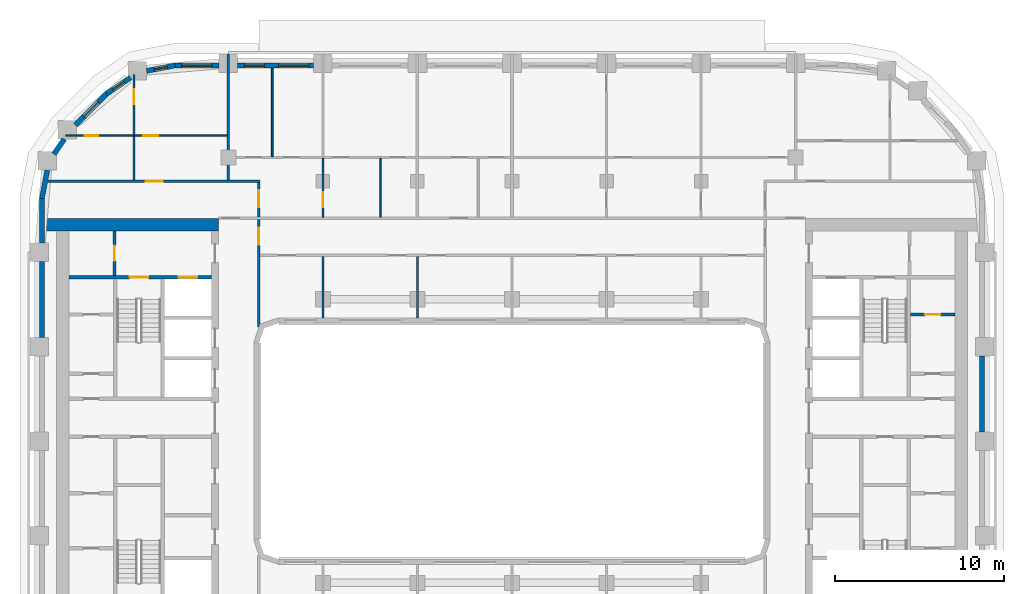
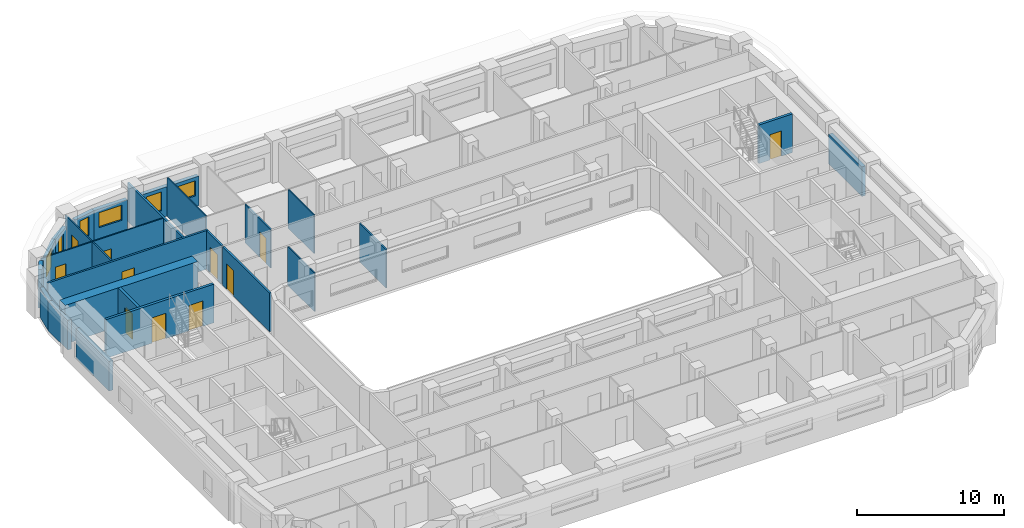
# One storey, part 7 of 22: 26 walls, 11 doors, 6 windows, 17 openings.
"""IFC4 building model written with IfcOpenShell, lengths in metres."""

from ifc_helpers import new_model, si_unit, direction, frame, frame_2d, origin, place, context, subcontext, project, spatial, rectangle, extrude, material, layer, layer_set, type_object, element, fill, save


model = new_model("IFC4")

# Units and contexts
model_context = context("Model", 3, precision=1e-05, world=origin(), true_north=direction((0.0, 1.0)))
body_context = subcontext(model_context, "Body", "Model", "MODEL_VIEW")
ifc_project = project(units=[si_unit("LENGTHUNIT", "METRE"), si_unit("AREAUNIT", "SQUARE_METRE"), si_unit("VOLUMEUNIT", "CUBIC_METRE"), si_unit("PLANEANGLEUNIT", "RADIAN"), si_unit("MASSUNIT", "GRAM", prefix="KILO")], contexts=[model_context])

# Site, building, storey
site_placement = place(None, origin())
site = spatial("IfcSite", under=ifc_project, at=site_placement, CompositionType="ELEMENT")
building_placement = place(site_placement, origin())
building = spatial("IfcBuilding", under=site, at=building_placement, Name="Kiln Ring Residences", CompositionType="ELEMENT")
storey_placement = place(building_placement, frame((0.0, 0.0, 146.60009765625)))
storey = spatial("IfcBuildingStorey", under=building, at=storey_placement, Name="L37", CompositionType="ELEMENT", Elevation=146.60009765625)

# Wall, opening, door
ifc_material_1 = material(Name="Gypsum board on steel studs", Category="steel")
ifc_layer_1 = layer(ifc_material_1, 0.199951171875)
ifc_layer_set_1 = layer_set([ifc_layer_1], Name="CORE-PARTITION-200")
wall_type_1 = type_object("IfcWallType", Name="CORE-PARTITION-200", PredefinedType="PARTITIONING", material=ifc_layer_set_1)
wall_1_placement = place(storey_placement, frame((-23.550048828125, 9.800048828125, 0.0), z_axis=(0.0, 0.0, 1.0), x_axis=(0.0, 1.0, 0.0)))
wall_1 = element("IfcWall", 1, at=wall_1_placement, inside=storey, type_object=wall_type_1, Name="Core partition west L37 4", PredefinedType="PARTITIONING", context=body_context, shape_type="SweptSolid", body=[
    extrude(rectangle(XDim=2.64990234375, YDim=0.199951171875, at=frame_2d((1.324951171875, 0.0))), origin(), (0.0, 0.0, 1.0), 3.199951171875),
])
opening_1_placement = place(wall_1_placement, frame((0.875, 0.0, 0.0)))
opening_1 = element("IfcOpeningElement", 2, at=opening_1_placement, cuts=wall_1, Name="Opening L37-CW09", PredefinedType="OPENING", context=body_context, shape_type="SweptSolid", body=[
    extrude(rectangle(XDim=0.89990234375, YDim=2.10009765625, at=frame_2d((0.449951171875, 1.050048828125))), frame((0.0, 0.10986328125, 0.0), z_axis=(0.0, -1.0, 0.0), x_axis=(1.0, 0.0, 0.0)), (0.0, 0.0, 1.0), 0.219970703125),
])
ifc_material_2 = material(Name="Steel door leaf", Category="steel")
door_type_1 = type_object("IfcDoorType", Name="CORE-DOOR-ROOM", OperationType="SINGLE_SWING_LEFT", PredefinedType="DOOR", material=ifc_material_2)
door_1_placement = place(opening_1_placement, origin())
door_1 = element("IfcDoor", 3, at=door_1_placement, inside=storey, type_object=door_type_1, Name="Fire riser room L37-CW09", OperationType="SINGLE_SWING_LEFT", OverallHeight=2.10009765625, OverallWidth=0.89990234375, PredefinedType="DOOR", context=body_context, shape_type="SweptSolid", body=[
    extrude(rectangle(XDim=0.89990234375, YDim=2.10009765625, at=frame_2d((0.449951171875, 1.050048828125))), frame((0.0, 0.02490234375, 0.0), z_axis=(0.0, -1.0, 0.0), x_axis=(1.0, 0.0, 0.0)), (0.0, 0.0, 1.0), 0.050048828125),
])
fill(opening_1, door_1)

wall_2_placement = place(storey_placement, frame((23.60009765625, 7.5, 0.0), z_axis=(0.0, 0.0, 1.0), x_axis=(1.0, 0.0, 0.0)))
wall_2 = element("IfcWall", 4, at=wall_2_placement, inside=storey, type_object=wall_type_1, Name="Core partition east L37 9", PredefinedType="PARTITIONING", context=body_context, shape_type="SweptSolid", body=[
    extrude(rectangle(XDim=2.64990234375, YDim=0.199951171875, at=frame_2d((1.324951171875, 0.0))), origin(), (0.0, 0.0, 1.0), 3.199951171875),
])
opening_2_placement = place(wall_2_placement, frame((0.875, 0.0, 0.0)))
opening_2 = element("IfcOpeningElement", 5, at=opening_2_placement, cuts=wall_2, Name="Opening L37-CE19", PredefinedType="OPENING", context=body_context, shape_type="SweptSolid", body=[
    extrude(rectangle(XDim=0.89990234375, YDim=2.10009765625, at=frame_2d((0.449951171875, 1.050048828125))), frame((0.0, 0.10986328125, 0.0), z_axis=(0.0, -1.0, 0.0), x_axis=(1.0, 0.0, 0.0)), (0.0, 0.0, 1.0), 0.219970703125),
])
door_2_placement = place(opening_2_placement, origin())
door_2 = element("IfcDoor", 6, at=door_2_placement, inside=storey, type_object=door_type_1, Name="UPS room L37-CE19", OperationType="SINGLE_SWING_LEFT", OverallHeight=2.10009765625, OverallWidth=0.89990234375, PredefinedType="DOOR", context=body_context, shape_type="SweptSolid", body=[
    extrude(rectangle(XDim=0.89990234375, YDim=2.10009765625, at=frame_2d((0.449951171875, 1.050048828125))), frame((0.0, 0.02490234375, 0.0), z_axis=(0.0, -1.0, 0.0), x_axis=(1.0, 0.0, 0.0)), (0.0, 0.0, 1.0), 0.050048828125),
])
fill(opening_2, door_2)

# Wall, openings, doors
ifc_material_3 = material(Name="Concrete C40/50", Category="concrete")
ifc_layer_2 = layer(ifc_material_3, 0.199951171875)
ifc_layer_set_2 = layer_set([ifc_layer_2], Name="CORE-WALL-RC200")
wall_type_2 = type_object("IfcWallType", Name="CORE-WALL-RC200", PredefinedType="SHEAR", material=ifc_layer_set_2)
wall_3_placement = place(storey_placement, frame((-17.800048828125, 9.699951171875, 0.0), z_axis=(0.0, 0.0, 1.0), x_axis=(-1.0, 0.0, 0.0)))
wall_3 = element("IfcWall", 7, at=wall_3_placement, inside=storey, type_object=wall_type_2, Name="Core wall west L37 9", PredefinedType="SHEAR", context=body_context, shape_type="SweptSolid", body=[
    extrude(rectangle(XDim=8.449951171875, YDim=0.199951171875, at=frame_2d((4.22509765625, 0.0))), origin(), (0.0, 0.0, 1.0), 3.199951171875),
])
opening_3_placement = place(wall_3_placement, frame((0.85009765625, 0.0, 0.0)))
opening_3 = element("IfcOpeningElement", 8, at=opening_3_placement, cuts=wall_3, Name="Opening L37-CW06", PredefinedType="OPENING", context=body_context, shape_type="SweptSolid", body=[
    extrude(rectangle(XDim=1.10009765625, YDim=2.10009765625, at=frame_2d((0.550048828125, 1.050048828125))), frame((0.0, 0.10986328125, 0.0), z_axis=(0.0, -1.0, 0.0), x_axis=(1.0, 0.0, 0.0)), (0.0, 0.0, 1.0), 0.219970703125),
])
opening_4_placement = place(wall_3_placement, frame((3.75, 0.0, 0.0)))
opening_4 = element("IfcOpeningElement", 9, at=opening_4_placement, cuts=wall_3, Name="Opening L37-CW11", PredefinedType="OPENING", context=body_context, shape_type="SweptSolid", body=[
    extrude(rectangle(XDim=1.10009765625, YDim=2.10009765625, at=frame_2d((0.550048828125, 1.050048828125))), frame((0.0, 0.10986328125, 0.0), z_axis=(0.0, -1.0, 0.0), x_axis=(1.0, 0.0, 0.0)), (0.0, 0.0, 1.0), 0.219970703125),
])
ifc_material_4 = material(Name="Steel door leaf", Category="steel")
door_type_2 = type_object("IfcDoorType", Name="CORE-DOOR-LD", OperationType="DOUBLE_DOOR_SLIDING", PredefinedType="DOOR", material=ifc_material_4)
door_3_placement = place(opening_3_placement, origin())
door_3 = element("IfcDoor", 10, at=door_3_placement, inside=storey, type_object=door_type_2, Name="LD W-FF L37-CW06", OperationType="DOUBLE_DOOR_SLIDING", OverallHeight=2.10009765625, OverallWidth=1.10009765625, PredefinedType="DOOR", context=body_context, shape_type="SweptSolid", body=[
    extrude(rectangle(XDim=1.10009765625, YDim=2.10009765625, at=frame_2d((0.550048828125, 1.050048828125))), frame((0.0, 0.02490234375, 0.0), z_axis=(0.0, -1.0, 0.0), x_axis=(1.0, 0.0, 0.0)), (0.0, 0.0, 1.0), 0.050048828125),
])
fill(opening_3, door_3)
ifc_material_5 = material(Name="Steel door leaf", Category="steel")
door_type_3 = type_object("IfcDoorType", Name="CORE-DOOR-STAIR", OperationType="SINGLE_SWING_LEFT", PredefinedType="DOOR", material=ifc_material_5)
door_4_placement = place(opening_4_placement, origin())
door_4 = element("IfcDoor", 11, at=door_4_placement, inside=storey, type_object=door_type_3, Name="Stair W-STN L37-CW11", OperationType="SINGLE_SWING_LEFT", OverallHeight=2.10009765625, OverallWidth=1.10009765625, PredefinedType="DOOR", context=body_context, shape_type="SweptSolid", body=[
    extrude(rectangle(XDim=1.10009765625, YDim=2.10009765625, at=frame_2d((0.550048828125, 1.050048828125))), frame((0.0, 0.02490234375, 0.0), z_axis=(0.0, -1.0, 0.0), x_axis=(1.0, 0.0, 0.0)), (0.0, 0.0, 1.0), 0.050048828125),
])
fill(opening_4, door_4)

# Walls
ifc_material_6 = material(Name="Concrete C60/75", Category="concrete")
ifc_layer_3 = layer(ifc_material_6, 0.75)
ifc_layer_set_3 = layer_set([ifc_layer_3], Name="CORE-WALL-RC750")
wall_type_3 = type_object("IfcWallType", Name="CORE-WALL-RC750", PredefinedType="SHEAR", material=ifc_layer_set_3)
wall_4_placement = place(storey_placement, frame((-17.39990234375, 12.824951171875, 0.0), z_axis=(0.0, 0.0, 1.0), x_axis=(-1.0, 0.0, 0.0)))
element("IfcWall", 12, at=wall_4_placement, inside=storey, type_object=wall_type_3, Name="Core wall west L37 4", PredefinedType="SHEAR", context=body_context, shape_type="SweptSolid", body=[
    extrude(rectangle(XDim=10.400146484375, YDim=0.75, at=frame_2d((5.2001953125, 0.0))), origin(), (0.0, 0.0, 1.0), 3.199951171875),
])
ifc_material_7 = material(Name="Brick masonry, dark clay brick", Category="masonry")
ifc_layer_4 = layer(ifc_material_7, 0.300048828125)
ifc_layer_set_4 = layer_set([ifc_layer_4], Name="EW-300 BRICK WALL")
wall_type_4 = type_object("IfcWallType", Name="EW-300 BRICK WALL", PredefinedType="SOLIDWALL", material=ifc_layer_set_4)
wall_5_placement = place(storey_placement, frame((27.85009765625, 0.550048828125, 0.0), z_axis=(0.0, 0.0, 1.0), x_axis=(0.0, 1.0, 0.0)))
element("IfcWall", 13, at=wall_5_placement, inside=storey, type_object=wall_type_4, Name="Facade wall L37 20", PredefinedType="SOLIDWALL", context=body_context, shape_type="SweptSolid", body=[
    extrude(rectangle(XDim=4.5, YDim=0.300048828125, at=frame_2d((2.25, 0.0))), origin(), (0.0, 0.0, 1.0), 2.449951171875),
])

# Wall, openings, windows
wall_6_placement = place(storey_placement, frame((-11.75, 22.25, 0.0), z_axis=(0.0, 0.0, 1.0), x_axis=(-1.0, 0.0, 0.0)))
wall_6 = element("IfcWall", 14, at=wall_6_placement, inside=storey, type_object=wall_type_4, Name="Facade wall L37 34", PredefinedType="SOLIDWALL", context=body_context, shape_type="SweptSolid", body=[
    extrude(rectangle(XDim=4.5, YDim=0.300048828125, at=frame_2d((2.25, 0.0))), origin(), (0.0, 0.0, 1.0), 2.449951171875),
])
opening_5_placement = place(wall_6_placement, frame((0.28759765625, 0.0, 0.89990234375)))
opening_5 = element("IfcOpeningElement", 15, at=opening_5_placement, cuts=wall_6, Name="Opening W2", PredefinedType="OPENING", context=body_context, shape_type="SweptSolid", body=[
    extrude(rectangle(XDim=1.800048828125, YDim=1.25, at=frame_2d((0.89990234375, 0.625))), frame((0.0, 0.159912109375, 0.0), z_axis=(0.0, -1.0, 0.0), x_axis=(1.0, 0.0, 0.0)), (0.0, 0.0, 1.0), 0.320068359375),
])
opening_6_placement = place(wall_6_placement, frame((2.91259765625, 0.0, 0.60009765625)))
opening_6 = element("IfcOpeningElement", 16, at=opening_6_placement, cuts=wall_6, Name="Opening W1", PredefinedType="OPENING", context=body_context, shape_type="SweptSolid", body=[
    extrude(rectangle(XDim=1.199951171875, YDim=1.550048828125, at=frame_2d((0.60009765625, 0.77490234375))), frame((0.0, 0.159912109375, 0.0), z_axis=(0.0, -1.0, 0.0), x_axis=(1.0, 0.0, 0.0)), (0.0, 0.0, 1.0), 0.320068359375),
])
ifc_material_8 = material(Name="Aluminium frame with double glazing", Category="aluminium")
window_type_1 = type_object("IfcWindowType", Name="WINDOW 1200 x 1550", PartitioningType="SINGLE_PANEL", PredefinedType="WINDOW", material=ifc_material_8)
window_1_placement = place(opening_6_placement, origin())
window_1 = element("IfcWindow", 17, at=window_1_placement, inside=storey, type_object=window_type_1, Name="Window L37 23", OverallHeight=1.550048828125, OverallWidth=1.199951171875, PartitioningType="SINGLE_PANEL", PredefinedType="WINDOW", context=body_context, shape_type="SweptSolid", body=[
    extrude(rectangle(XDim=1.199951171875, YDim=1.550048828125, at=frame_2d((0.60009765625, 0.77490234375))), frame((0.0, 0.030029296875, 0.0), z_axis=(0.0, -1.0, 0.0), x_axis=(1.0, 0.0, 0.0)), (0.0, 0.0, 1.0), 0.06005859375),
])
fill(opening_6, window_1)
ifc_material_9 = material(Name="Aluminium frame with double glazing", Category="aluminium")
window_type_2 = type_object("IfcWindowType", Name="WINDOW 1800 x 1250", PartitioningType="SINGLE_PANEL", PredefinedType="WINDOW", material=ifc_material_9)
window_2_placement = place(opening_5_placement, origin())
window_2 = element("IfcWindow", 18, at=window_2_placement, inside=storey, type_object=window_type_2, Name="Window L37 22", OverallHeight=1.25, OverallWidth=1.800048828125, PartitioningType="SINGLE_PANEL", PredefinedType="WINDOW", context=body_context, shape_type="SweptSolid", body=[
    extrude(rectangle(XDim=1.800048828125, YDim=1.25, at=frame_2d((0.89990234375, 0.625))), frame((0.0, 0.030029296875, 0.0), z_axis=(0.0, -1.0, 0.0), x_axis=(1.0, 0.0, 0.0)), (0.0, 0.0, 1.0), 0.06005859375),
])
fill(opening_5, window_2)

# Wall, opening, window
wall_7_placement = place(storey_placement, frame((-17.35009765625, 22.25, 0.0), z_axis=(0.0, 0.0, 1.0), x_axis=(-1.0, 0.0, 0.0)))
wall_7 = element("IfcWall", 19, at=wall_7_placement, inside=storey, type_object=wall_type_4, Name="Facade wall L37 35", PredefinedType="SOLIDWALL", context=body_context, shape_type="SweptSolid", body=[
    extrude(rectangle(XDim=2.64990234375, YDim=0.300048828125, at=frame_2d((1.324951171875, 0.0))), origin(), (0.0, 0.0, 1.0), 2.449951171875),
])
opening_7_placement = place(wall_7_placement, frame((0.425048828125, 0.0, 0.89990234375)))
opening_7 = element("IfcOpeningElement", 20, at=opening_7_placement, cuts=wall_7, Name="Opening W2", PredefinedType="OPENING", context=body_context, shape_type="SweptSolid", body=[
    extrude(rectangle(XDim=1.800048828125, YDim=1.25, at=frame_2d((0.89990234375, 0.625))), frame((0.0, 0.159912109375, 0.0), z_axis=(0.0, -1.0, 0.0), x_axis=(1.0, 0.0, 0.0)), (0.0, 0.0, 1.0), 0.320068359375),
])
window_3_placement = place(opening_7_placement, origin())
window_3 = element("IfcWindow", 21, at=window_3_placement, inside=storey, type_object=window_type_2, Name="Window L37 24", OverallHeight=1.25, OverallWidth=1.800048828125, PartitioningType="SINGLE_PANEL", PredefinedType="WINDOW", context=body_context, shape_type="SweptSolid", body=[
    extrude(rectangle(XDim=1.800048828125, YDim=1.25, at=frame_2d((0.89990234375, 0.625))), frame((0.0, 0.030029296875, 0.0), z_axis=(0.0, -1.0, 0.0), x_axis=(1.0, 0.0, 0.0)), (0.0, 0.0, 1.0), 0.06005859375),
])
fill(opening_7, window_3)

wall_8_placement = place(storey_placement, frame((-19.971923828125, 22.252685546875, 0.0), z_axis=(0.0, 0.0, 1.0), x_axis=(-0.982297206936, -0.187329114784, 0.0)))
wall_8 = element("IfcWall", 22, at=wall_8_placement, inside=storey, type_object=wall_type_4, Name="Facade wall L37 36", PredefinedType="SOLIDWALL", context=body_context, shape_type="SweptSolid", body=[
    extrude(rectangle(XDim=1.7060546875, YDim=0.300048828125, at=frame_2d((0.85302734375, 0.0))), origin(), (0.0, 0.0, 1.0), 2.449951171875),
])
opening_8_placement = place(wall_8_placement, frame((0.453125, 0.0, 0.60009765625)))
opening_8 = element("IfcOpeningElement", 23, at=opening_8_placement, cuts=wall_8, Name="Opening W5", PredefinedType="OPENING", context=body_context, shape_type="SweptSolid", body=[
    extrude(rectangle(XDim=0.800048828125, YDim=1.550048828125, at=frame_2d((0.39990234375, 0.77490234375))), frame((0.0, 0.159912109375, 0.0), z_axis=(0.0, -1.0, 0.0), x_axis=(1.0, 0.0, 0.0)), (0.0, 0.0, 1.0), 0.320068359375),
])
ifc_material_10 = material(Name="Aluminium frame with double glazing", Category="aluminium")
window_type_3 = type_object("IfcWindowType", Name="WINDOW 800 x 1550", PartitioningType="SINGLE_PANEL", PredefinedType="WINDOW", material=ifc_material_10)
window_4_placement = place(opening_8_placement, origin())
window_4 = element("IfcWindow", 24, at=window_4_placement, inside=storey, type_object=window_type_3, Name="Window L37 25", OverallHeight=1.550048828125, OverallWidth=0.800048828125, PartitioningType="SINGLE_PANEL", PredefinedType="WINDOW", context=body_context, shape_type="SweptSolid", body=[
    extrude(rectangle(XDim=0.800048828125, YDim=1.550048828125, at=frame_2d((0.39990234375, 0.77490234375))), frame((0.0, 0.030029296875, 0.0), z_axis=(0.0, -1.0, 0.0), x_axis=(1.0, 0.0, 0.0)), (0.0, 0.0, 1.0), 0.06005859375),
])
fill(opening_8, window_4)

wall_9_placement = place(storey_placement, frame((-22.601806640625, 21.537841796875, 0.0), z_axis=(0.0, 0.0, 1.0), x_axis=(-0.827040942766, -0.562141689424, 0.0)))
wall_9 = element("IfcWall", 25, at=wall_9_placement, inside=storey, type_object=wall_type_4, Name="Facade wall L37 37", PredefinedType="SOLIDWALL", context=body_context, shape_type="SweptSolid", body=[
    extrude(rectangle(XDim=1.7060546875, YDim=0.300048828125, at=frame_2d((0.85302734375, 0.0))), origin(), (0.0, 0.0, 1.0), 2.449951171875),
])
opening_9_placement = place(wall_9_placement, frame((0.453125, 0.0, 0.60009765625)))
opening_9 = element("IfcOpeningElement", 26, at=opening_9_placement, cuts=wall_9, Name="Opening W5", PredefinedType="OPENING", context=body_context, shape_type="SweptSolid", body=[
    extrude(rectangle(XDim=0.800048828125, YDim=1.550048828125, at=frame_2d((0.39990234375, 0.77490234375))), frame((0.0, 0.159912109375, 0.0), z_axis=(0.0, -1.0, 0.0), x_axis=(1.0, 0.0, 0.0)), (0.0, 0.0, 1.0), 0.320068359375),
])
window_5_placement = place(opening_9_placement, origin())
window_5 = element("IfcWindow", 27, at=window_5_placement, inside=storey, type_object=window_type_3, Name="Window L37 26", OverallHeight=1.550048828125, OverallWidth=0.800048828125, PartitioningType="SINGLE_PANEL", PredefinedType="WINDOW", context=body_context, shape_type="SweptSolid", body=[
    extrude(rectangle(XDim=0.800048828125, YDim=1.550048828125, at=frame_2d((0.39990234375, 0.77490234375))), frame((0.0, 0.030029296875, 0.0), z_axis=(0.0, -1.0, 0.0), x_axis=(1.0, 0.0, 0.0)), (0.0, 0.0, 1.0), 0.06005859375),
])
fill(opening_9, window_5)

wall_10_placement = place(storey_placement, frame((-23.990966796875, 20.596923828125, 0.0), z_axis=(0.0, 0.0, 1.0), x_axis=(-0.707106781187, -0.707106781187, 0.0)))
wall_10 = element("IfcWall", 28, at=wall_10_placement, inside=storey, type_object=wall_type_4, Name="Facade wall L37 38", PredefinedType="SOLIDWALL", context=body_context, shape_type="SweptSolid", body=[
    extrude(rectangle(XDim=2.64990234375, YDim=0.300048828125, at=frame_2d((1.324951171875, 0.0))), origin(), (0.0, 0.0, 1.0), 2.449951171875),
])
opening_10_placement = place(wall_10_placement, frame((0.72509765625, 0.0, 0.60009765625)))
opening_10 = element("IfcOpeningElement", 29, at=opening_10_placement, cuts=wall_10, Name="Opening W1", PredefinedType="OPENING", context=body_context, shape_type="SweptSolid", body=[
    extrude(rectangle(XDim=1.199951171875, YDim=1.550048828125, at=frame_2d((0.60009765625, 0.77490234375))), frame((0.0, 0.159912109375, 0.0), z_axis=(0.0, -1.0, 0.0), x_axis=(1.0, 0.0, 0.0)), (0.0, 0.0, 1.0), 0.320068359375),
])
window_6_placement = place(opening_10_placement, origin())
window_6 = element("IfcWindow", 30, at=window_6_placement, inside=storey, type_object=window_type_1, Name="Window L37 27", OverallHeight=1.550048828125, OverallWidth=1.199951171875, PartitioningType="SINGLE_PANEL", PredefinedType="WINDOW", context=body_context, shape_type="SweptSolid", body=[
    extrude(rectangle(XDim=1.199951171875, YDim=1.550048828125, at=frame_2d((0.60009765625, 0.77490234375))), frame((0.0, 0.030029296875, 0.0), z_axis=(0.0, -1.0, 0.0), x_axis=(1.0, 0.0, 0.0)), (0.0, 0.0, 1.0), 0.06005859375),
])
fill(opening_10, window_6)

# Walls
wall_11_placement = place(storey_placement, frame((-26.532470703125, 17.892578125, 0.0), z_axis=(0.0, 0.0, 1.0), x_axis=(-0.562105419172, -0.82706559458, 0.0)))
element("IfcWall", 31, at=wall_11_placement, inside=storey, type_object=wall_type_4, Name="Facade wall L37 39", PredefinedType="SOLIDWALL", context=body_context, shape_type="SweptSolid", body=[
    extrude(rectangle(XDim=1.0771484375, YDim=0.300048828125, at=frame_2d((0.53857421875, 0.0))), origin(), (0.0, 0.0, 1.0), 3.199951171875),
])
wall_12_placement = place(storey_placement, frame((-27.532958984375, 16.0478515625, 0.0), z_axis=(0.0, 0.0, 1.0), x_axis=(-0.187302784601, -0.982302227871, 0.0)))
element("IfcWall", 32, at=wall_12_placement, inside=storey, type_object=wall_type_4, Name="Facade wall L37 40", PredefinedType="SOLIDWALL", context=body_context, shape_type="SweptSolid", body=[
    extrude(rectangle(XDim=1.706298828125, YDim=0.300048828125, at=frame_2d((0.85302734375, 0.0))), origin(), (0.0, 0.0, 1.0), 2.449951171875),
])
wall_13_placement = place(storey_placement, frame((-27.85009765625, 14.39990234375, 0.0), z_axis=(0.0, 0.0, 1.0), x_axis=(0.0, -1.0, 0.0)))
element("IfcWall", 33, at=wall_13_placement, inside=storey, type_object=wall_type_4, Name="Facade wall L37 41", PredefinedType="SOLIDWALL", context=body_context, shape_type="SweptSolid", body=[
    extrude(rectangle(XDim=2.64990234375, YDim=0.300048828125, at=frame_2d((1.324951171875, 0.0))), origin(), (0.0, 0.0, 1.0), 2.449951171875),
])
wall_14_placement = place(storey_placement, frame((-27.85009765625, 10.64990234375, 0.0), z_axis=(0.0, 0.0, 1.0), x_axis=(0.0, -1.0, 0.0)))
element("IfcWall", 34, at=wall_14_placement, inside=storey, type_object=wall_type_4, Name="Facade wall L37 42", PredefinedType="SOLIDWALL", context=body_context, shape_type="SweptSolid", body=[
    extrude(rectangle(XDim=4.5, YDim=0.300048828125, at=frame_2d((2.25, 0.0))), origin(), (0.0, 0.0, 1.0), 2.449951171875),
])

# Wall, openings, doors
ifc_material_11 = material(Name="Gypsum board on steel studs", Category="steel")
ifc_layer_5 = layer(ifc_material_11, 0.10009765625)
ifc_layer_set_5 = layer_set([ifc_layer_5], Name="PARTITION-100")
wall_type_5 = type_object("IfcWallType", Name="PARTITION-100", PredefinedType="PARTITIONING", material=ifc_layer_set_5)
wall_15_placement = place(storey_placement, frame((-26.43994140625, 18.10009765625, 0.0), z_axis=(0.0, 0.0, 1.0), x_axis=(1.0, 0.0, 0.0)))
wall_15 = element("IfcWall", 35, at=wall_15_placement, inside=storey, type_object=wall_type_5, Name="Partition 013", PredefinedType="PARTITIONING", context=body_context, shape_type="SweptSolid", body=[
    extrude(rectangle(XDim=9.56494140625, YDim=0.10009765625, at=frame_2d((4.782470703125, 0.0))), origin(), (0.0, 0.0, 1.0), 3.199951171875),
])
opening_11_placement = place(wall_15_placement, frame((1.1259765625, 0.0, 0.0)))
opening_11 = element("IfcOpeningElement", 36, at=opening_11_placement, cuts=wall_15, Name="Opening L37-D035", PredefinedType="OPENING", context=body_context, shape_type="SweptSolid", body=[
    extrude(rectangle(XDim=0.800048828125, YDim=2.10009765625, at=frame_2d((0.39990234375, 1.050048828125))), frame((0.0, 0.06005859375, 0.0), z_axis=(0.0, -1.0, 0.0), x_axis=(1.0, 0.0, 0.0)), (0.0, 0.0, 1.0), 0.1201171875),
])
opening_12_placement = place(wall_15_placement, frame((4.590087890625, 0.0, 0.0)))
opening_12 = element("IfcOpeningElement", 37, at=opening_12_placement, cuts=wall_15, Name="Opening L37-D036", PredefinedType="OPENING", context=body_context, shape_type="SweptSolid", body=[
    extrude(rectangle(XDim=0.89990234375, YDim=2.10009765625, at=frame_2d((0.449951171875, 1.050048828125))), frame((0.0, 0.06005859375, 0.0), z_axis=(0.0, -1.0, 0.0), x_axis=(1.0, 0.0, 0.0)), (0.0, 0.0, 1.0), 0.1201171875),
])
ifc_material_12 = material(Name="Timber door leaf", Category="wood")
door_type_4 = type_object("IfcDoorType", Name="FLAT-DOOR-800-PL", OperationType="SINGLE_SWING_LEFT", PredefinedType="DOOR", material=ifc_material_12)
door_5_placement = place(opening_11_placement, origin())
door_5 = element("IfcDoor", 38, at=door_5_placement, inside=storey, type_object=door_type_4, Name="Door L37-D035", OperationType="SINGLE_SWING_LEFT", OverallHeight=2.10009765625, OverallWidth=0.800048828125, PredefinedType="DOOR", context=body_context, shape_type="SweptSolid", body=[
    extrude(rectangle(XDim=0.800048828125, YDim=2.10009765625, at=frame_2d((0.39990234375, 1.050048828125))), frame((0.0, 0.02490234375, 0.0), z_axis=(0.0, -1.0, 0.0), x_axis=(1.0, 0.0, 0.0)), (0.0, 0.0, 1.0), 0.050048828125),
])
fill(opening_11, door_5)
ifc_material_13 = material(Name="Timber door leaf", Category="wood")
door_type_5 = type_object("IfcDoorType", Name="FLAT-DOOR-900-PL", OperationType="SINGLE_SWING_LEFT", PredefinedType="DOOR", material=ifc_material_13)
door_6_placement = place(opening_12_placement, origin())
door_6 = element("IfcDoor", 39, at=door_6_placement, inside=storey, type_object=door_type_5, Name="Door L37-D036", OperationType="SINGLE_SWING_RIGHT", OverallHeight=2.10009765625, OverallWidth=0.89990234375, PredefinedType="DOOR", context=body_context, shape_type="SweptSolid", body=[
    extrude(rectangle(XDim=0.89990234375, YDim=2.10009765625, at=frame_2d((0.449951171875, 1.050048828125))), frame((0.0, 0.02490234375, 0.0), z_axis=(0.0, -1.0, 0.0), x_axis=(1.0, 0.0, 0.0)), (0.0, 0.0, 1.0), 0.050048828125),
])
fill(opening_12, door_6)

# Wall
wall_16_placement = place(storey_placement, frame((-22.39990234375, 15.47509765625, 0.0), z_axis=(0.0, 0.0, 1.0), x_axis=(0.0, 1.0, 0.0)))
element("IfcWall", 40, at=wall_16_placement, inside=storey, type_object=wall_type_5, Name="Partition 016", PredefinedType="PARTITIONING", context=body_context, shape_type="SweptSolid", body=[
    extrude(rectangle(XDim=2.574951171875, YDim=0.10009765625, at=frame_2d((1.28759765625, 0.0))), origin(), (0.0, 0.0, 1.0), 3.199951171875),
])

# Wall, opening, door
wall_17_placement = place(storey_placement, frame((-22.39990234375, 18.14990234375, 0.0), z_axis=(0.0, 0.0, 1.0), x_axis=(0.0, 1.0, 0.0)))
wall_17 = element("IfcWall", 41, at=wall_17_placement, inside=storey, type_object=wall_type_5, Name="Partition 017", PredefinedType="PARTITIONING", context=body_context, shape_type="SweptSolid", body=[
    extrude(rectangle(XDim=3.570068359375, YDim=0.10009765625, at=frame_2d((1.78515625, 0.0))), origin(), (0.0, 0.0, 1.0), 3.199951171875),
])
opening_13_placement = place(wall_17_placement, frame((1.798095703125, 0.0, 0.0)))
opening_13 = element("IfcOpeningElement", 42, at=opening_13_placement, cuts=wall_17, Name="Opening L37-D037", PredefinedType="OPENING", context=body_context, shape_type="SweptSolid", body=[
    extrude(rectangle(XDim=0.89990234375, YDim=2.10009765625, at=frame_2d((0.449951171875, 1.050048828125))), frame((0.0, 0.06005859375, 0.0), z_axis=(0.0, -1.0, 0.0), x_axis=(1.0, 0.0, 0.0)), (0.0, 0.0, 1.0), 0.1201171875),
])
door_7_placement = place(opening_13_placement, origin())
door_7 = element("IfcDoor", 43, at=door_7_placement, inside=storey, type_object=door_type_5, Name="Door L37-D037", OperationType="SINGLE_SWING_LEFT", OverallHeight=2.10009765625, OverallWidth=0.89990234375, PredefinedType="DOOR", context=body_context, shape_type="SweptSolid", body=[
    extrude(rectangle(XDim=0.89990234375, YDim=2.10009765625, at=frame_2d((0.449951171875, 1.050048828125))), frame((0.0, 0.02490234375, 0.0), z_axis=(0.0, -1.0, 0.0), x_axis=(1.0, 0.0, 0.0)), (0.0, 0.0, 1.0), 0.050048828125),
])
fill(opening_13, door_7)

# Walls
wall_18_placement = place(storey_placement, frame((-14.199951171875, 16.85009765625, 0.0), z_axis=(0.0, 0.0, 1.0), x_axis=(0.0, 1.0, 0.0)))
element("IfcWall", 44, at=wall_18_placement, inside=storey, type_object=wall_type_5, Name="Partition 024", PredefinedType="PARTITIONING", context=body_context, shape_type="SweptSolid", body=[
    extrude(rectangle(XDim=5.22998046875, YDim=0.10009765625, at=frame_2d((2.614990234375, 0.0))), origin(), (0.0, 0.0, 1.0), 3.199951171875),
])
wall_19_placement = place(storey_placement, frame((-11.199951171875, 7.320068359375, 0.0), z_axis=(0.0, 0.0, 1.0), x_axis=(0.0, 1.0, 0.0)))
element("IfcWall", 45, at=wall_19_placement, inside=storey, type_object=wall_type_5, Name="Partition 028", PredefinedType="PARTITIONING", context=body_context, shape_type="SweptSolid", body=[
    extrude(rectangle(XDim=3.60498046875, YDim=0.10009765625, at=frame_2d((1.802490234375, 0.0))), origin(), (0.0, 0.0, 1.0), 3.199951171875),
])

# Wall, opening, door
wall_20_placement = place(storey_placement, frame((-11.199951171875, 13.27490234375, 0.0), z_axis=(0.0, 0.0, 1.0), x_axis=(0.0, 1.0, 0.0)))
wall_20 = element("IfcWall", 46, at=wall_20_placement, inside=storey, type_object=wall_type_5, Name="Partition 029", PredefinedType="PARTITIONING", context=body_context, shape_type="SweptSolid", body=[
    extrude(rectangle(XDim=3.47509765625, YDim=0.10009765625, at=frame_2d((1.737548828125, 0.0))), origin(), (0.0, 0.0, 1.0), 3.199951171875),
])
opening_14_placement = place(wall_20_placement, frame((0.575927734375, 0.0, 0.0)))
opening_14 = element("IfcOpeningElement", 47, at=opening_14_placement, cuts=wall_20, Name="Opening L37-D016", PredefinedType="OPENING", context=body_context, shape_type="SweptSolid", body=[
    extrude(rectangle(XDim=0.89990234375, YDim=2.10009765625, at=frame_2d((0.449951171875, 1.050048828125))), frame((0.0, 0.06005859375, 0.0), z_axis=(0.0, -1.0, 0.0), x_axis=(1.0, 0.0, 0.0)), (0.0, 0.0, 1.0), 0.1201171875),
])
door_8_placement = place(opening_14_placement, origin())
door_8 = element("IfcDoor", 48, at=door_8_placement, inside=storey, type_object=door_type_5, Name="Door L37-D016", OperationType="SINGLE_SWING_LEFT", OverallHeight=2.10009765625, OverallWidth=0.89990234375, PredefinedType="DOOR", context=body_context, shape_type="SweptSolid", body=[
    extrude(rectangle(XDim=0.89990234375, YDim=2.10009765625, at=frame_2d((0.449951171875, 1.050048828125))), frame((0.0, 0.02490234375, 0.0), z_axis=(0.0, -1.0, 0.0), x_axis=(1.0, 0.0, 0.0)), (0.0, 0.0, 1.0), 0.050048828125),
])
fill(opening_14, door_8)

# Walls
wall_21_placement = place(storey_placement, frame((-7.800048828125, 13.27490234375, 0.0), z_axis=(0.0, 0.0, 1.0), x_axis=(0.0, 1.0, 0.0)))
element("IfcWall", 49, at=wall_21_placement, inside=storey, type_object=wall_type_5, Name="Partition 031", PredefinedType="PARTITIONING", context=body_context, shape_type="SweptSolid", body=[
    extrude(rectangle(XDim=3.47509765625, YDim=0.10009765625, at=frame_2d((1.737548828125, 0.0))), origin(), (0.0, 0.0, 1.0), 3.199951171875),
])
wall_22_placement = place(storey_placement, frame((-5.60009765625, 7.320068359375, 0.0), z_axis=(0.0, 0.0, 1.0), x_axis=(0.0, 1.0, 0.0)))
element("IfcWall", 50, at=wall_22_placement, inside=storey, type_object=wall_type_5, Name="Partition 033", PredefinedType="PARTITIONING", context=body_context, shape_type="SweptSolid", body=[
    extrude(rectangle(XDim=3.60498046875, YDim=0.10009765625, at=frame_2d((1.802490234375, 0.0))), origin(), (0.0, 0.0, 1.0), 3.199951171875),
])

# Wall, opening, door
ifc_material_14 = material(Name="Brick masonry partition", Category="masonry")
ifc_layer_6 = layer(ifc_material_14, 0.14990234375)
ifc_layer_set_6 = layer_set([ifc_layer_6], Name="PARTITION-150-ei60")
wall_type_6 = type_object("IfcWallType", Name="PARTITION-150-ei60", PredefinedType="PARTITIONING", material=ifc_layer_set_6)
wall_23_placement = place(storey_placement, frame((-27.48388671875, 15.39990234375, 0.0), z_axis=(0.0, 0.0, 1.0), x_axis=(1.0, 0.0, 0.0)))
wall_23 = element("IfcWall", 51, at=wall_23_placement, inside=storey, type_object=wall_type_6, Name="Partition 009", PredefinedType="PARTITIONING", context=body_context, shape_type="SweptSolid", body=[
    extrude(rectangle(XDim=12.558837890625, YDim=0.14990234375, at=frame_2d((6.279296875, 0.0))), origin(), (0.0, 0.0, 1.0), 3.199951171875),
])
opening_15_placement = place(wall_23_placement, frame((5.78369140625, 0.0, 0.0)))
opening_15 = element("IfcOpeningElement", 52, at=opening_15_placement, cuts=wall_23, Name="Opening L37-D034", PredefinedType="OPENING", context=body_context, shape_type="SweptSolid", body=[
    extrude(rectangle(XDim=1.0, YDim=2.10009765625, at=frame_2d((0.5, 1.050048828125))), frame((0.0, 0.0849609375, 0.0), z_axis=(0.0, -1.0, 0.0), x_axis=(1.0, 0.0, 0.0)), (0.0, 0.0, 1.0), 0.169921875),
])
ifc_material_15 = material(Name="Steel faced fire door leaf", Category="steel")
door_type_6 = type_object("IfcDoorType", Name="FLAT-DOOR-1000-FR", OperationType="SINGLE_SWING_LEFT", PredefinedType="DOOR", material=ifc_material_15)
door_9_placement = place(opening_15_placement, origin())
door_9 = element("IfcDoor", 53, at=door_9_placement, inside=storey, type_object=door_type_6, Name="Door L37-D034", OperationType="SINGLE_SWING_RIGHT", OverallHeight=2.10009765625, OverallWidth=1.0, PredefinedType="DOOR", context=body_context, shape_type="SweptSolid", body=[
    extrude(rectangle(XDim=1.0, YDim=2.10009765625, at=frame_2d((0.5, 1.050048828125))), frame((0.0, 0.02490234375, 0.0), z_axis=(0.0, -1.0, 0.0), x_axis=(1.0, 0.0, 0.0)), (0.0, 0.0, 1.0), 0.050048828125),
])
fill(opening_15, door_9)

# Wall
wall_24_placement = place(storey_placement, frame((-16.800048828125, 15.47509765625, 0.0), z_axis=(0.0, 0.0, 1.0), x_axis=(0.0, 1.0, 0.0)))
element("IfcWall", 54, at=wall_24_placement, inside=storey, type_object=wall_type_6, Name="Partition 019", PredefinedType="PARTITIONING", context=body_context, shape_type="SweptSolid", body=[
    extrude(rectangle(XDim=7.454833984375, YDim=0.14990234375, at=frame_2d((3.7275390625, 0.0))), origin(), (0.0, 0.0, 1.0), 3.199951171875),
])

# Wall, opening, door
wall_25_placement = place(storey_placement, frame((-15.0, 6.768798828125, 0.0), z_axis=(0.0, 0.0, 1.0), x_axis=(0.0, 1.0, 0.0)))
wall_25 = element("IfcWall", 55, at=wall_25_placement, inside=storey, type_object=wall_type_6, Name="Partition 022", PredefinedType="PARTITIONING", context=body_context, shape_type="SweptSolid", body=[
    extrude(rectangle(XDim=6.356201171875, YDim=0.14990234375, at=frame_2d((3.17822265625, 0.0))), origin(), (0.0, 0.0, 1.0), 3.199951171875),
])
opening_16_placement = place(wall_25_placement, frame((4.860107421875, 0.0, 0.0)))
opening_16 = element("IfcOpeningElement", 56, at=opening_16_placement, cuts=wall_25, Name="Opening L37-D001", PredefinedType="OPENING", context=body_context, shape_type="SweptSolid", body=[
    extrude(rectangle(XDim=1.0, YDim=2.10009765625, at=frame_2d((0.5, 1.050048828125))), frame((0.0, 0.0849609375, 0.0), z_axis=(0.0, -1.0, 0.0), x_axis=(1.0, 0.0, 0.0)), (0.0, 0.0, 1.0), 0.169921875),
])
door_10_placement = place(opening_16_placement, origin())
door_10 = element("IfcDoor", 57, at=door_10_placement, inside=storey, type_object=door_type_6, Name="Door L37-D001", OperationType="SINGLE_SWING_RIGHT", OverallHeight=2.10009765625, OverallWidth=1.0, PredefinedType="DOOR", context=body_context, shape_type="SweptSolid", body=[
    extrude(rectangle(XDim=1.0, YDim=2.10009765625, at=frame_2d((0.5, 1.050048828125))), frame((0.0, 0.02490234375, 0.0), z_axis=(0.0, -1.0, 0.0), x_axis=(1.0, 0.0, 0.0)), (0.0, 0.0, 1.0), 0.050048828125),
])
fill(opening_16, door_10)

wall_26_placement = place(storey_placement, frame((-15.0, 13.27490234375, 0.0), z_axis=(0.0, 0.0, 1.0), x_axis=(0.0, 1.0, 0.0)))
wall_26 = element("IfcWall", 58, at=wall_26_placement, inside=storey, type_object=wall_type_6, Name="Partition 023", PredefinedType="PARTITIONING", context=body_context, shape_type="SweptSolid", body=[
    extrude(rectangle(XDim=2.050048828125, YDim=0.14990234375, at=frame_2d((1.02490234375, 0.0))), origin(), (0.0, 0.0, 1.0), 3.199951171875),
])
opening_17_placement = place(wall_26_placement, frame((0.575927734375, 0.0, 0.0)))
opening_17 = element("IfcOpeningElement", 59, at=opening_17_placement, cuts=wall_26, Name="Opening L37-D015", PredefinedType="OPENING", context=body_context, shape_type="SweptSolid", body=[
    extrude(rectangle(XDim=1.0, YDim=2.10009765625, at=frame_2d((0.5, 1.050048828125))), frame((0.0, 0.0849609375, 0.0), z_axis=(0.0, -1.0, 0.0), x_axis=(1.0, 0.0, 0.0)), (0.0, 0.0, 1.0), 0.169921875),
])
door_11_placement = place(opening_17_placement, origin())
door_11 = element("IfcDoor", 60, at=door_11_placement, inside=storey, type_object=door_type_6, Name="Door L37-D015", OperationType="SINGLE_SWING_LEFT", OverallHeight=2.10009765625, OverallWidth=1.0, PredefinedType="DOOR", context=body_context, shape_type="SweptSolid", body=[
    extrude(rectangle(XDim=1.0, YDim=2.10009765625, at=frame_2d((0.5, 1.050048828125))), frame((0.0, 0.02490234375, 0.0), z_axis=(0.0, -1.0, 0.0), x_axis=(1.0, 0.0, 0.0)), (0.0, 0.0, 1.0), 0.050048828125),
])
fill(opening_17, door_11)

save(model, "model.ifc")
